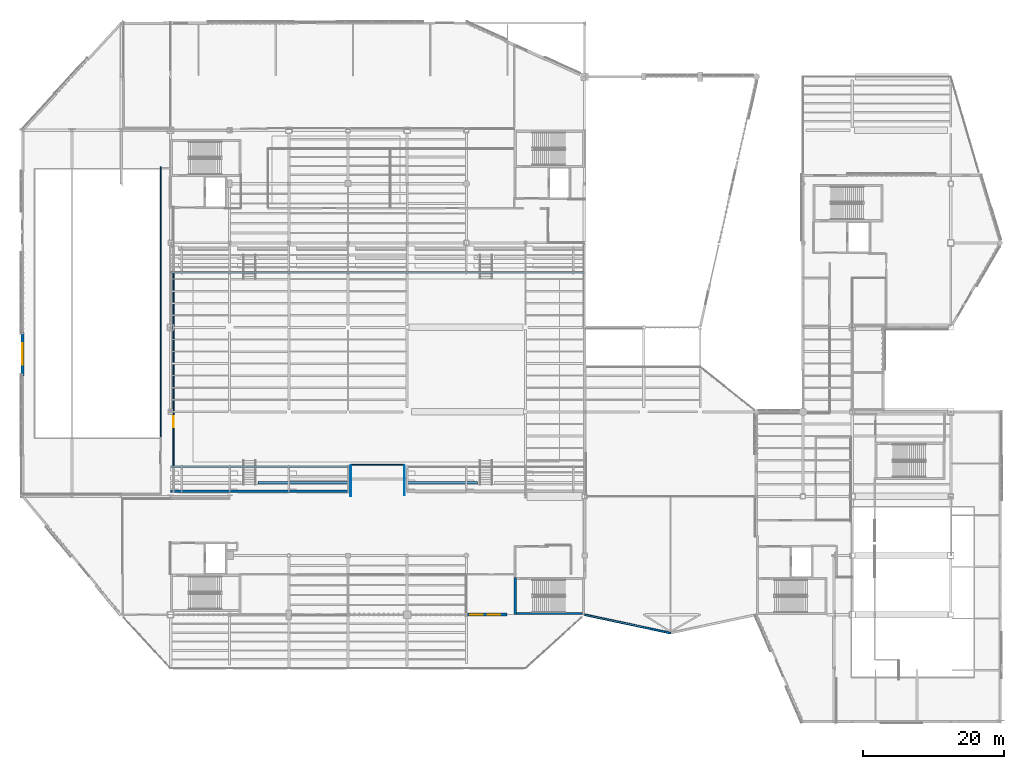
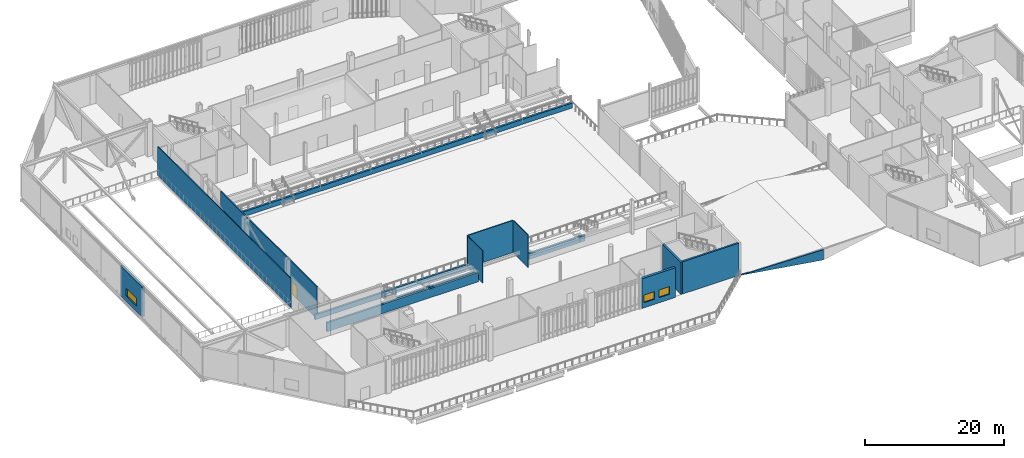
# One storey, part 107 of 135: 15 walls, 3 windows, 1 door, 4 openings.
"""IFC4 building model written with IfcOpenShell, lengths in metres."""

from ifc_helpers import new_model, si_unit, direction, frame, frame_2d, origin, place, context, subcontext, project, spatial, polyline, rectangle, outline, extrude, material, layer, layer_set, type_object, element, fill, save


model = new_model("IFC4")

# Units and contexts
model_context = context("Model", 3, precision=1e-05, world=origin(), true_north=direction((0.0, 1.0)))
body_context = subcontext(model_context, "Body", "Model", "MODEL_VIEW")
ifc_project = project(units=[si_unit("LENGTHUNIT", "METRE"), si_unit("AREAUNIT", "SQUARE_METRE"), si_unit("VOLUMEUNIT", "CUBIC_METRE"), si_unit("PLANEANGLEUNIT", "RADIAN"), si_unit("MASSUNIT", "GRAM", prefix="KILO")], contexts=[model_context])

# Site, building, storey
site_placement = place(None, origin())
site = spatial("IfcSite", under=ifc_project, at=site_placement, CompositionType="ELEMENT")
building_placement = place(site_placement, origin())
building = spatial("IfcBuilding", under=site, at=building_placement, Name="Larkvane Passage Sports Hall", CompositionType="ELEMENT")
storey_placement = place(building_placement, frame((0.0, 0.0, 10.800048828125)))
storey = spatial("IfcBuildingStorey", under=building, at=storey_placement, Name="L02", CompositionType="ELEMENT", Elevation=10.800048828125)

# Walls
ifc_material_1 = material(Name="Concrete C50/60", Category="concrete")
ifc_layer_1 = layer(ifc_material_1, 0.300048828125)
ifc_layer_set_1 = layer_set([ifc_layer_1], Name="Concrete C50/60")
wall_type_1 = type_object("IfcWallType", Name="WL-CORE-300", PredefinedType="SHEAR", material=ifc_layer_set_1)
wall_1_placement = place(storey_placement, frame((83.75, 22.800048828125, 0.0), z_axis=(0.0, 0.0, 1.0), x_axis=(0.0, 1.0, 0.0)))
element("IfcWall", 1, at=wall_1_placement, inside=storey, type_object=wall_type_1, Name="Core shear wall WAL-CORE-C4-L02-W", PredefinedType="SHEAR", context=body_context, shape_type="SweptSolid", body=[
    extrude(rectangle(XDim=5.300048828125, YDim=0.300048828125, at=frame_2d((2.64990234375, 0.0))), origin(), (0.0, 0.0, 1.0), 5.679931640625),
])
ifc_layer_2 = layer(ifc_material_1, 0.300048828125)
ifc_layer_set_2 = layer_set([ifc_layer_2], Name="Concrete C50/60")
wall_type_2 = type_object("IfcWallType", Name="WL-CORE-EXT-300", PredefinedType="SHEAR", material=ifc_layer_set_2)
wall_2_placement = place(storey_placement, frame((93.300048828125, 22.949951171875, 0.0), z_axis=(0.0, 0.0, 1.0), x_axis=(-1.0, 0.0, 0.0)))
element("IfcWall", 2, at=wall_2_placement, inside=storey, type_object=wall_type_2, Name="Core shear wall WAL-CORE-C4-L02-S", PredefinedType="SHEAR", context=body_context, shape_type="SweptSolid", body=[
    extrude(rectangle(XDim=9.400146484375, YDim=0.300048828125, at=frame_2d((4.7001953125, 0.0))), origin(), (0.0, 0.0, 1.0), 5.679931640625),
])

# Wall, openings, windows
ifc_material_2 = material(Name="Concrete C40/50", Category="concrete")
ifc_layer_3 = layer(ifc_material_2, 0.425048828125)
ifc_layer_set_3 = layer_set([ifc_layer_3], Name="Concrete C40/50")
wall_type_3 = type_object("IfcWallType", Name="WL-EXT-425", PredefinedType="SOLIDWALL", material=ifc_layer_set_3)
wall_3_placement = place(storey_placement, frame((82.60400390625, 22.800048828125, 0.0), z_axis=(0.0, 0.0, 1.0), x_axis=(-1.0, 0.0, 0.0)))
wall_3 = element("IfcWall", 3, at=wall_3_placement, inside=storey, type_object=wall_type_3, Name="Exterior wall WAL-EXT-L02-147", PredefinedType="SOLIDWALL", context=body_context, shape_type="SweptSolid", body=[
    extrude(rectangle(XDim=5.60546875, YDim=0.425048828125, at=frame_2d((2.802734375, 0.0))), origin(), (0.0, 0.0, 1.0), 5.2080078125),
])
opening_1_placement = place(wall_3_placement, frame((0.968017578125, 0.0, 0.89990234375)))
opening_1 = element("IfcOpeningElement", 4, at=opening_1_placement, cuts=wall_3, Name="Opening W-10", PredefinedType="OPENING", context=body_context, shape_type="SweptSolid", body=[
    extrude(rectangle(XDim=1.800048828125, YDim=1.35009765625, at=frame_2d((0.89990234375, 0.675048828125))), frame((0.0, 0.222412109375, 0.0), z_axis=(0.0, -1.0, 0.0), x_axis=(1.0, 0.0, 0.0)), (0.0, 0.0, 1.0), 0.445068359375),
])
opening_2_placement = place(wall_3_placement, frame((3.455078125, 0.0, 0.89990234375)))
opening_2 = element("IfcOpeningElement", 5, at=opening_2_placement, cuts=wall_3, Name="Opening W-10", PredefinedType="OPENING", context=body_context, shape_type="SweptSolid", body=[
    extrude(rectangle(XDim=1.800048828125, YDim=1.35009765625, at=frame_2d((0.89990234375, 0.675048828125))), frame((0.0, 0.222412109375, 0.0), z_axis=(0.0, -1.0, 0.0), x_axis=(1.0, 0.0, 0.0)), (0.0, 0.0, 1.0), 0.445068359375),
])
ifc_material_3 = material(Name="Thermally broken aluminium and laminated low-E glass", Category="aluminium")
window_type_1 = type_object("IfcWindowType", Name="WN-CAS-1800x1350", PartitioningType="DOUBLE_PANEL_VERTICAL", PredefinedType="WINDOW", material=ifc_material_3)
window_1_placement = place(opening_1_placement, origin())
window_1 = element("IfcWindow", 6, at=window_1_placement, inside=storey, type_object=window_type_1, Name="Window L02-049", OverallHeight=1.35009765625, OverallWidth=1.800048828125, PartitioningType="DOUBLE_PANEL_VERTICAL", PredefinedType="WINDOW", context=body_context, shape_type="SweptSolid", body=[
    extrude(rectangle(XDim=1.800048828125, YDim=1.35009765625, at=frame_2d((0.89990234375, 0.675048828125))), frame((0.0, 0.030029296875, 0.0), z_axis=(0.0, -1.0, 0.0), x_axis=(1.0, 0.0, 0.0)), (0.0, 0.0, 1.0), 0.06005859375),
])
fill(opening_1, window_1)
window_2_placement = place(opening_2_placement, origin())
window_2 = element("IfcWindow", 7, at=window_2_placement, inside=storey, type_object=window_type_1, Name="Window L02-050", OverallHeight=1.35009765625, OverallWidth=1.800048828125, PartitioningType="DOUBLE_PANEL_VERTICAL", PredefinedType="WINDOW", context=body_context, shape_type="SweptSolid", body=[
    extrude(rectangle(XDim=1.800048828125, YDim=1.35009765625, at=frame_2d((0.89990234375, 0.675048828125))), frame((0.0, 0.030029296875, 0.0), z_axis=(0.0, -1.0, 0.0), x_axis=(1.0, 0.0, 0.0)), (0.0, 0.0, 1.0), 0.06005859375),
])
fill(opening_2, window_2)

# Wall, opening, window
wall_4_placement = place(storey_placement, frame((13.800048828125, 56.729248046875, 0.0), z_axis=(0.0, 0.0, 1.0), x_axis=(0.0, 1.0, 0.0)))
wall_4 = element("IfcWall", 8, at=wall_4_placement, inside=storey, type_object=wall_type_3, Name="Exterior wall WAL-EXT-L02-153", PredefinedType="SOLIDWALL", context=body_context, shape_type="SweptSolid", body=[
    extrude(rectangle(XDim=6.185791015625, YDim=0.425048828125, at=frame_2d((3.0927734375, 0.0))), origin(), (0.0, 0.0, 1.0), 5.27783203125),
])
opening_3_placement = place(wall_4_placement, frame((1.593017578125, 0.0, 0.89990234375)))
opening_3 = element("IfcOpeningElement", 9, at=opening_3_placement, cuts=wall_4, Name="Opening W-06", PredefinedType="OPENING", context=body_context, shape_type="SweptSolid", body=[
    extrude(rectangle(XDim=3.0, YDim=1.39990234375, at=frame_2d((1.5, 0.699951171875))), frame((0.0, 0.222412109375, 0.0), z_axis=(0.0, -1.0, 0.0), x_axis=(1.0, 0.0, 0.0)), (0.0, 0.0, 1.0), 0.445068359375),
])
window_type_2 = type_object("IfcWindowType", Name="WN-FIX-3000x1400", PartitioningType="TRIPLE_PANEL_VERTICAL", PredefinedType="WINDOW", material=ifc_material_3)
window_3_placement = place(opening_3_placement, origin())
window_3 = element("IfcWindow", 10, at=window_3_placement, inside=storey, type_object=window_type_2, Name="Window L02-054", OverallHeight=1.39990234375, OverallWidth=3.0, PartitioningType="TRIPLE_PANEL_VERTICAL", PredefinedType="WINDOW", context=body_context, shape_type="SweptSolid", body=[
    extrude(rectangle(XDim=3.0, YDim=1.39990234375, at=frame_2d((1.5, 0.699951171875))), frame((0.0, 0.030029296875, 0.0), z_axis=(0.0, -1.0, 0.0), x_axis=(1.0, 0.0, 0.0)), (0.0, 0.0, 1.0), 0.06005859375),
])
fill(opening_3, window_3)

# Walls
ifc_material_4 = material(Name="Precast concrete C45/55", Category="concrete")
ifc_layer_4 = layer(ifc_material_4, 0.260009765625)
ifc_layer_set_4 = layer_set([ifc_layer_4], Name="Precast concrete C45/55")
wall_type_4 = type_object("IfcWallType", Name="WL-GABLE-260", PredefinedType="SOLIDWALL", material=ifc_layer_set_4)
wall_5_placement = place(storey_placement, frame((93.60009765625, 22.800048828125, 0.0), z_axis=(0.0, 0.0, 1.0), x_axis=(0.97803466984, -0.208442281199, 0.0)))
element("IfcWall", 11, at=wall_5_placement, inside=storey, type_object=wall_type_4, Name="Entrance foyer canopy gable WAL-GABLE-V5-SW", PredefinedType="SOLIDWALL", context=body_context, shape_type="SweptSolid", body=[
    extrude(outline(polyline([(0.0, 0.0), (12.473876953125, 0.0), (12.469970703125, 1.820068359375), (0.0, 0.02001953125), (0.0, 0.0)])), frame((0.0, 0.1298828125, 0.0), z_axis=(0.0, -1.0, 0.0), x_axis=(1.0, 0.0, 0.0)), (0.0, 0.0, 1.0), 0.260009765625),
])
ifc_material_5 = material(Name="Gypsum twin-stud acoustic partition")
ifc_layer_5 = layer(ifc_material_5, 0.10009765625)
ifc_layer_set_5 = layer_set([ifc_layer_5], Name="Gypsum twin-stud acoustic partition")
wall_type_5 = type_object("IfcWallType", Name="WL-PART-100", PredefinedType="PARTITIONING", material=ifc_layer_set_5)
wall_6_placement = place(storey_placement, frame((60.3798828125, 43.97998046875, 0.0), z_axis=(0.0, 0.0, 1.0), x_axis=(0.0, -1.0, 0.0)))
element("IfcWall", 12, at=wall_6_placement, inside=storey, type_object=wall_type_5, Name="Interior partition WAL-PART-L02-0198", PredefinedType="PARTITIONING", context=body_context, shape_type="SweptSolid", body=[
    extrude(rectangle(XDim=4.35986328125, YDim=0.10009765625, at=frame_2d((2.179931640625, 0.0))), origin(), (0.0, 0.0, 1.0), 5.64990234375),
])
ifc_material_6 = material(Name="Gypsum twin-stud fire-rated partition")
ifc_layer_6 = layer(ifc_material_6, 0.125)
ifc_layer_set_6 = layer_set([ifc_layer_6], Name="Gypsum twin-stud fire-rated partition")
wall_type_6 = type_object("IfcWallType", Name="WL-PART-125", PredefinedType="PARTITIONING", material=ifc_layer_set_6)
wall_7_placement = place(storey_placement, frame((68.02001953125, 39.739990234375, 0.0), z_axis=(0.0, 0.0, 1.0), x_axis=(0.0, 1.0, 0.0)))
element("IfcWall", 13, at=wall_7_placement, inside=storey, type_object=wall_type_6, Name="Interior partition WAL-PART-L02-0203", PredefinedType="PARTITIONING", context=body_context, shape_type="SweptSolid", body=[
    extrude(rectangle(XDim=4.239990234375, YDim=0.125, at=frame_2d((2.1201171875, 0.0))), origin(), (0.0, 0.0, 1.0), 5.64990234375),
])
ifc_material_7 = material(Name="Gypsum acoustic partition")
ifc_layer_7 = layer(ifc_material_7, 0.14990234375)
ifc_layer_set_7 = layer_set([ifc_layer_7], Name="Gypsum acoustic partition")
wall_type_7 = type_object("IfcWallType", Name="WL-PART-150", PredefinedType="PARTITIONING", material=ifc_layer_set_7)
wall_8_placement = place(storey_placement, frame((68.0, 44.1201171875, 0.0), z_axis=(0.0, 0.0, 1.0), x_axis=(-1.0, 0.0, 0.0)))
element("IfcWall", 14, at=wall_8_placement, inside=storey, type_object=wall_type_7, Name="Interior partition WAL-PART-L02-0196", PredefinedType="PARTITIONING", context=body_context, shape_type="SweptSolid", body=[
    extrude(rectangle(XDim=7.60009765625, YDim=0.14990234375, at=frame_2d((3.800048828125, 0.0))), origin(), (0.0, 0.0, 1.0), 5.64990234375),
])
wall_9_placement = place(storey_placement, frame((33.39990234375, 48.02001953125, 0.0), z_axis=(0.0, 0.0, 1.0), x_axis=(0.0, 1.0, 0.0)))
element("IfcWall", 15, at=wall_9_placement, inside=storey, type_object=wall_type_7, Name="Interior partition WAL-PART-L02-0256", PredefinedType="PARTITIONING", context=body_context, shape_type="SweptSolid", body=[
    extrude(rectangle(XDim=38.39990234375, YDim=0.14990234375, at=frame_2d((19.199951171875, 0.0))), origin(), (0.0, 0.0, 1.0), 5.08203125),
])

# Wall, opening, door
ifc_material_8 = material(Name="Gypsum high-bay court partition")
ifc_layer_8 = layer(ifc_material_8, 0.179931640625)
ifc_layer_set_8 = layer_set([ifc_layer_8], Name="Gypsum high-bay court partition")
wall_type_8 = type_object("IfcWallType", Name="WL-PART-180", PredefinedType="PARTITIONING", material=ifc_layer_set_8)
wall_10_placement = place(storey_placement, frame((35.219970703125, 43.679931640625, 0.0), z_axis=(0.0, 0.0, 1.0), x_axis=(0.0, 1.0, 0.0)))
wall_10 = element("IfcWall", 16, at=wall_10_placement, inside=storey, type_object=wall_type_8, Name="Interior partition WAL-PART-L02-0197", PredefinedType="PARTITIONING", context=body_context, shape_type="SweptSolid", body=[
    extrude(rectangle(XDim=27.840087890625, YDim=0.179931640625, at=frame_2d((13.919921875, 0.0))), origin(), (0.0, 0.0, 1.0), 5.64990234375),
])
opening_4_placement = place(wall_10_placement, frame((5.72705078125, 0.0, 0.0)))
opening_4 = element("IfcOpeningElement", 17, at=opening_4_placement, cuts=wall_10, Name="Opening DI-03", PredefinedType="OPENING", context=body_context, shape_type="SweptSolid", body=[
    extrude(rectangle(XDim=1.60009765625, YDim=2.199951171875, at=frame_2d((0.800048828125, 1.10009765625))), frame((0.0, 0.099853515625, 0.0), z_axis=(0.0, -1.0, 0.0), x_axis=(1.0, 0.0, 0.0)), (0.0, 0.0, 1.0), 0.199951171875),
])
ifc_material_9 = material(Name="Glazed aluminium studio double door", Category="aluminium")
door_type = type_object("IfcDoorType", Name="DR-INT-1600", OperationType="DOUBLE_DOOR_SINGLE_SWING", PredefinedType="DOOR", material=ifc_material_9)
door_placement = place(opening_4_placement, origin())
door = element("IfcDoor", 18, at=door_placement, inside=storey, type_object=door_type, Name="Interior door L02-0066", OperationType="DOUBLE_DOOR_SINGLE_SWING", OverallHeight=2.199951171875, OverallWidth=1.60009765625, PredefinedType="DOOR", context=body_context, shape_type="SweptSolid", body=[
    extrude(rectangle(XDim=1.60009765625, YDim=2.199951171875, at=frame_2d((0.800048828125, 1.10009765625))), frame((0.0, 0.02490234375, 0.0), z_axis=(0.0, -1.0, 0.0), x_axis=(1.0, 0.0, 0.0)), (0.0, 0.0, 1.0), 0.050048828125),
])
fill(opening_4, door)

# Walls
ifc_layer_9 = layer(ifc_material_2, 0.320068359375)
ifc_layer_set_9 = layer_set([ifc_layer_9], Name="Concrete C40/50")
wall_type_9 = type_object("IfcWallType", Name="WL-STAND-320", PredefinedType="SOLIDWALL", material=ifc_layer_set_9)
wall_11_placement = place(storey_placement, frame((47.199951171875, 41.550048828125, 0.0), z_axis=(0.0, 0.0, 1.0), x_axis=(1.0, 0.0, 0.0)))
element("IfcWall", 19, at=wall_11_placement, inside=storey, type_object=wall_type_9, Name="Arena stand middle riser wall S-W2", PredefinedType="SOLIDWALL", context=body_context, shape_type="SweptSolid", body=[
    extrude(rectangle(XDim=12.800048828125, YDim=0.320068359375, at=frame_2d((6.39990234375, 0.0))), origin(), (0.0, 0.0, 1.0), 1.06494140625),
])
wall_12_placement = place(storey_placement, frame((68.39990234375, 41.550048828125, 0.0), z_axis=(0.0, 0.0, 1.0), x_axis=(1.0, 0.0, 0.0)))
element("IfcWall", 20, at=wall_12_placement, inside=storey, type_object=wall_type_9, Name="Arena stand middle riser wall S-E1", PredefinedType="SOLIDWALL", context=body_context, shape_type="SweptSolid", body=[
    extrude(rectangle(XDim=10.0, YDim=0.320068359375, at=frame_2d((5.0, 0.0))), origin(), (0.0, 0.0, 1.0), 1.06494140625),
])
wall_13_placement = place(storey_placement, frame((34.800048828125, 43.800048828125, 0.0), z_axis=(0.0, 0.0, 1.0), x_axis=(1.0, 0.0, 0.0)))
element("IfcWall", 21, at=wall_13_placement, inside=storey, type_object=wall_type_9, Name="Arena stand front riser wall S-W", PredefinedType="SOLIDWALL", context=body_context, shape_type="SweptSolid", body=[
    extrude(rectangle(XDim=25.199951171875, YDim=0.320068359375, at=frame_2d((12.60009765625, 0.0))), origin(), (0.0, 0.0, 1.0), 0.8798828125),
])
wall_14_placement = place(storey_placement, frame((34.800048828125, 40.35009765625, 0.0), z_axis=(0.0, 0.0, 1.0), x_axis=(1.0, 0.0, 0.0)))
element("IfcWall", 22, at=wall_14_placement, inside=storey, type_object=wall_type_9, Name="Arena stand rear riser wall S-W", PredefinedType="SOLIDWALL", context=body_context, shape_type="SweptSolid", body=[
    extrude(rectangle(XDim=25.199951171875, YDim=0.320068359375, at=frame_2d((12.60009765625, 0.0))), origin(), (0.0, 0.0, 1.0), 1.579833984375),
])
wall_15_placement = place(storey_placement, frame((34.800048828125, 71.39990234375, 0.0), z_axis=(0.0, 0.0, 1.0), x_axis=(1.0, 0.0, 0.0)))
element("IfcWall", 23, at=wall_15_placement, inside=storey, type_object=wall_type_9, Name="Arena stand front riser wall N-FULL", PredefinedType="SOLIDWALL", context=body_context, shape_type="SweptSolid", body=[
    extrude(rectangle(XDim=58.800048828125, YDim=0.320068359375, at=frame_2d((29.39990234375, 0.0))), origin(), (0.0, 0.0, 1.0), 0.8798828125),
])

save(model, "model.ifc")
